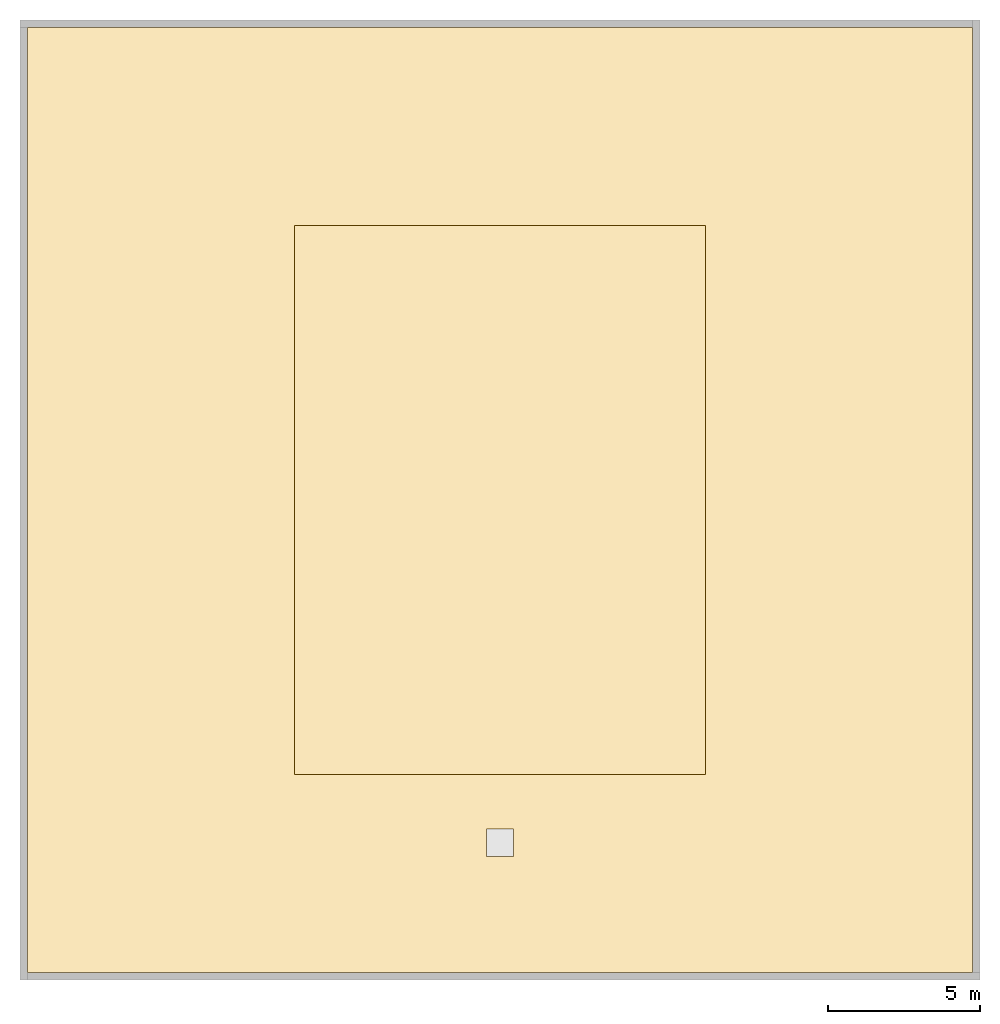
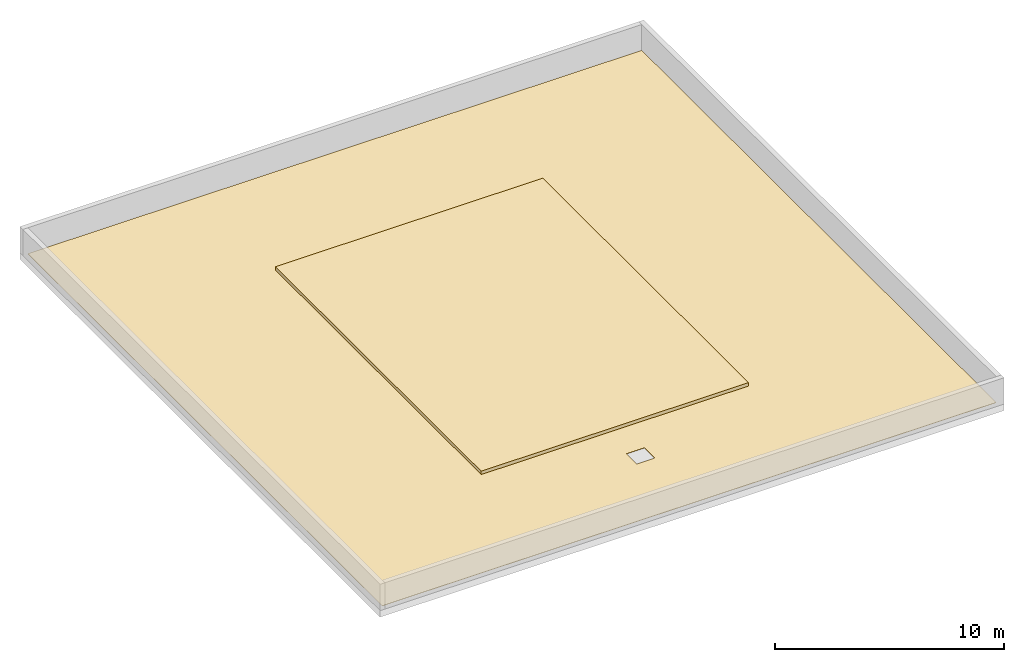
# One storey, part 2 of 2: 2 coverings.
"""IFC4 building model written with IfcOpenShell, lengths in metres."""

from ifc_helpers import new_model, si_unit, direction, frame, origin, place, context, subcontext, project, spatial, polyline, outline, extrude, material, layer, layer_set, type_object, element, save


model = new_model("IFC4")

# Units and contexts
model_context = context("Model", 3, precision=1e-05, world=origin(), true_north=direction((0.0, 1.0)))
body_context = subcontext(model_context, "Body", "Model", "MODEL_VIEW")
ifc_project = project(units=[si_unit("LENGTHUNIT", "METRE"), si_unit("AREAUNIT", "SQUARE_METRE"), si_unit("VOLUMEUNIT", "CUBIC_METRE"), si_unit("PLANEANGLEUNIT", "RADIAN"), si_unit("MASSUNIT", "GRAM", prefix="KILO")], contexts=[model_context])

# Site, building, storey
site_placement = place(None, origin())
site = spatial("IfcSite", under=ifc_project, at=site_placement, CompositionType="ELEMENT")
building_placement = place(site_placement, origin())
building = spatial("IfcBuilding", under=site, at=building_placement, Name="Namib Vertical Campus", CompositionType="ELEMENT")
storey_placement = place(building_placement, frame((0.0, 0.0, 302.0)))
storey = spatial("IfcBuildingStorey", under=building, at=storey_placement, Name="L71", CompositionType="ELEMENT", Elevation=302.0)

# Coverings
ifc_material_1 = material(Name="Inverted roof: paving slabs on pedestals over 120 mm extruded polystyrene on a hot-applied waterproofing membrane", Category="insulation")
ifc_layer_1 = layer(ifc_material_1, 0.199951171875)
ifc_layer_set_1 = layer_set([ifc_layer_1], Name="Inverted roof build-up 200")
covering_type_1 = type_object("IfcCoveringType", Name="Inverted roof build-up 200", PredefinedType="ROOFING", material=ifc_layer_set_1)
covering_1_placement = place(storey_placement, origin())
element("IfcCovering", 1, at=covering_1_placement, inside=storey, type_object=covering_type_1, Name="Roof build-up RC2 Tower A core roof 1", PredefinedType="ROOFING", context=body_context, shape_type="SweptSolid", body=[
    extrude(outline(polyline([(13.5, 29.25), (13.5, 11.25), (27.0, 11.25), (27.0, 29.25), (13.5, 29.25)])), origin(), (0.0, 0.0, 1.0), 0.199951171875),
])
ifc_material_2 = material(Name="Single-ply membrane on tapered insulation board", Category="membrane")
ifc_layer_2 = layer(ifc_material_2, 0.02001953125)
ifc_layer_set_2 = layer_set([ifc_layer_2], Name="Single-ply membrane roof 20")
covering_type_2 = type_object("IfcCoveringType", Name="Single-ply membrane roof 20", PredefinedType="ROOFING", material=ifc_layer_set_2)
covering_2_placement = place(storey_placement, origin())
element("IfcCovering", 2, at=covering_2_placement, inside=storey, type_object=covering_type_2, Name="Roof build-up RC3 crown canopy 1", PredefinedType="ROOFING", context=body_context, shape_type="SweptSolid", body=[
    extrude(outline(polyline([(4.75, 4.75), (35.75, 4.75), (35.75, 35.75), (4.75, 35.75), (4.75, 4.75)]), holes=[polyline([(13.5, 29.25), (27.0, 29.25), (27.0, 11.25), (13.5, 11.25), (13.5, 29.25)]), polyline([(19.800048828125, 8.550048828125), (19.800048828125, 9.449951171875), (20.699951171875, 9.449951171875), (20.699951171875, 8.550048828125), (19.800048828125, 8.550048828125)])]), origin(), (0.0, 0.0, 1.0), 0.02001953125),
])

save(model, "model.ifc")
